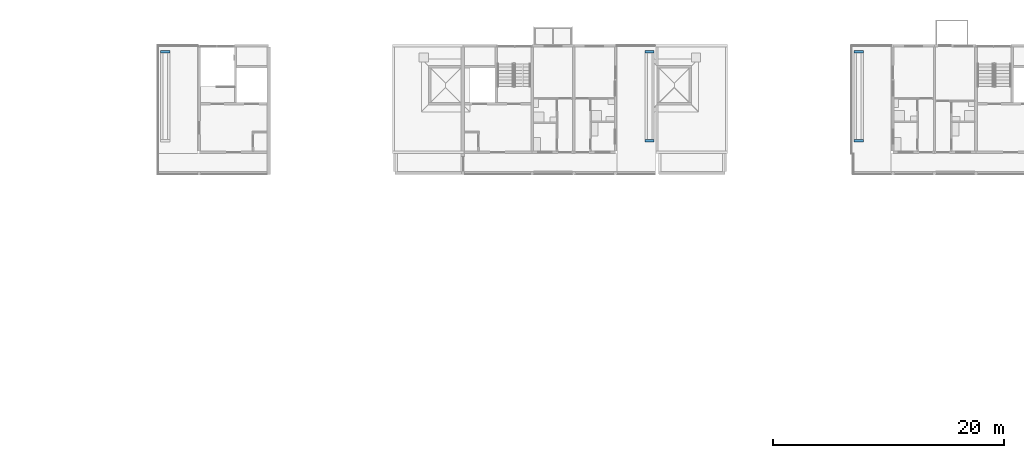
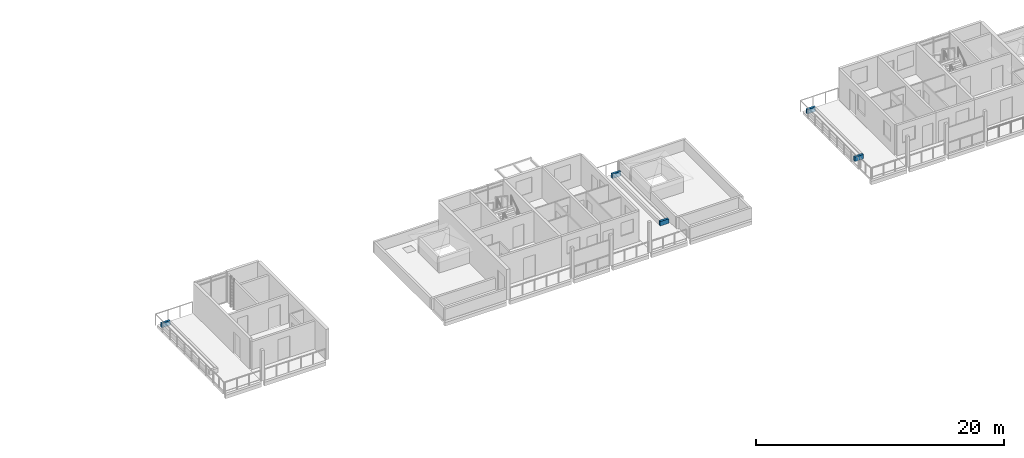
# One storey, part 52 of 78: 5 walls.
"""IFC4 building model written with IfcOpenShell, lengths in metres."""

import ifcopenshell
import ifcopenshell.guid

model = None  # the IFC model being written
_history = None  # IfcOwnerHistory: only IFC2X3 demands one
_inside = {}  # id of a spatial element -> (the spatial element, [elements in it])
_under = {}  # id of a project, library or spatial element -> (it, [spatial elements below it])
_declared = {}  # id of a project -> (the project, [libraries it declares])
_typed = {}  # id of a type object -> (the type object, [elements of that type])
_made_of = {}  # id of a material, layer set ... -> (it, [elements and type objects made of it])


def new_model(schema):
    """Start an empty IFC model of exactly this schema.

    Asked for "IFC4X3", IfcOpenShell would pick the latest addendum, in which some entities
    have other attributes; the version numbers below select the first issue.
    IFC2X3 requires an IfcOwnerHistory on every rooted entity: one is made here for all.
    """
    global model, _history
    if schema == "IFC4X3":
        model = ifcopenshell.file(schema_version=(4, 3, 0, 0))
    else:
        model = ifcopenshell.file(schema=schema)
    _inside.clear()
    _under.clear()
    _declared.clear()
    _typed.clear()
    _made_of.clear()
    _history = None
    if model.schema == "IFC2X3":
        org = make("IfcOrganization", Name="unknown")
        user = make(
            "IfcPersonAndOrganization",
            ThePerson=make("IfcPerson", FamilyName="unknown"),
            TheOrganization=org,
        )
        app = make(
            "IfcApplication",
            ApplicationDeveloper=org,
            Version="unknown",
            ApplicationFullName="unknown",
            ApplicationIdentifier="unknown",
        )
        _history = make(
            "IfcOwnerHistory",
            OwningUser=user,
            OwningApplication=app,
            ChangeAction="ADDED",
            CreationDate=0,
        )
    return model


def make(cls, **values):
    """One entity of the class cls with the attributes given. An attribute that is None is left unset."""
    return model.create_entity(
        cls, **{name: value for name, value in values.items() if value is not None}
    )


def rooted(cls, **values):
    """An entity with a GlobalId (a new one), such as an element, a storey or a relation."""
    return make(cls, GlobalId=ifcopenshell.guid.new(), OwnerHistory=_history, **values)


def si_unit(unit_type, name, prefix=None):
    """IfcSIUnit, for example si_unit("LENGTHUNIT", "METRE", prefix="MILLI")."""
    return make("IfcSIUnit", UnitType=unit_type, Prefix=prefix, Name=name)


def assignment(units):
    """IfcUnitAssignment: the units of a project."""
    return None if units is None else make("IfcUnitAssignment", Units=units)


def point(xyz):
    """IfcCartesianPoint."""
    return None if xyz is None else make("IfcCartesianPoint", Coordinates=xyz)


def direction(xyz):
    """IfcDirection."""
    return None if xyz is None else make("IfcDirection", DirectionRatios=xyz)


def frame(location, z_axis=None, x_axis=None):
    """IfcAxis2Placement3D, a coordinate frame: its origin and axes. An axis left out is left unset."""
    return make(
        "IfcAxis2Placement3D",
        Location=point(location),
        Axis=direction(z_axis),
        RefDirection=direction(x_axis),
    )


def frame_2d(location, x_axis=None):
    """IfcAxis2Placement2D, a coordinate frame in the plane: its origin and x axis."""
    return make(
        "IfcAxis2Placement2D", Location=point(location), RefDirection=direction(x_axis)
    )


def origin():
    """The frame at (0, 0, 0) with its axes left unset."""
    return frame((0.0, 0.0, 0.0))


def place(relative_to, where):
    """IfcLocalPlacement: puts the frame where relative to a parent placement (None: the world)."""
    return make(
        "IfcLocalPlacement", PlacementRelTo=relative_to, RelativePlacement=where
    )


def context(
    kind, dimensions, precision=None, world=None, true_north=None, identifier=None
):
    """IfcGeometricRepresentationContext, for example the 3D "Model" context."""
    return make(
        "IfcGeometricRepresentationContext",
        ContextIdentifier=identifier,
        ContextType=kind,
        CoordinateSpaceDimension=dimensions,
        Precision=precision,
        WorldCoordinateSystem=world,
        TrueNorth=true_north,
    )


def subcontext(parent, identifier, kind, view, scale=None):
    """IfcGeometricRepresentationSubContext, for example "Body" below "Model"."""
    return make(
        "IfcGeometricRepresentationSubContext",
        ContextIdentifier=identifier,
        ContextType=kind,
        ParentContext=parent,
        TargetScale=scale,
        TargetView=view,
    )


def project(units=None, contexts=None):
    """IfcProject with its units and contexts."""
    return rooted(
        "IfcProject",
        Name="project",
        RepresentationContexts=contexts,
        UnitsInContext=assignment(units),
    )


def spatial(cls, under=None, at=None, **own):
    """A site, building, storey or space (cls), placed at a placement, below another one or the project."""
    s = rooted(cls, ObjectPlacement=at, **own)
    if under is not None:
        _under.setdefault(under.id(), (under, []))[1].append(s)
    return s


def profile(cls, at=None, kind="AREA", **sizes):
    """A parametric profile (cls). Its sizes go by their IFC names, for example OverallWidth=200.0."""
    return make(cls, ProfileType=kind, Position=at, **sizes)


def rectangle(**sizes):
    """IfcRectangleProfileDef."""
    return profile("IfcRectangleProfileDef", **sizes)


def extrude(swept, where, along, depth):
    """IfcExtrudedAreaSolid: the profile swept, set in the frame where, extruded along a direction by depth."""
    return make(
        "IfcExtrudedAreaSolid",
        SweptArea=swept,
        Position=where,
        ExtrudedDirection=direction(along),
        Depth=depth,
    )


def shape(context_of_items, identifier, shape_type, items):
    """IfcShapeRepresentation: the items that make up one representation, for example the "Body"."""
    return make(
        "IfcShapeRepresentation",
        ContextOfItems=context_of_items,
        RepresentationIdentifier=identifier,
        RepresentationType=shape_type,
        Items=items,
    )


def material(Name=None, Category=None):
    """IfcMaterial."""
    return make("IfcMaterial", Name=Name, Category=Category)


def layer(
    of_material, thickness, ventilated=None, Name=None, Category=None, Priority=None
):
    """IfcMaterialLayer: one layer of a wall or slab, of a material (None: an air gap)."""
    return make(
        "IfcMaterialLayer",
        Material=of_material,
        LayerThickness=thickness,
        IsVentilated=ventilated,
        Name=Name,
        Category=Category,
        Priority=Priority,
    )


def layer_set(layers, Name=None):
    """IfcMaterialLayerSet."""
    return make("IfcMaterialLayerSet", MaterialLayers=layers, LayerSetName=Name)


def made_of(thing, what):
    """Note that an element or type object is made of a material, layer set ...; save() writes the relation."""
    if what is not None:
        _made_of.setdefault(what.id(), (what, []))[1].append(thing)
    return thing


def type_object(cls, material=None, **own):
    """A type object (cls), such as IfcWallType, which elements share."""
    return made_of(rooted(cls, **own), material)


def element(
    cls,
    number,
    at=None,
    inside=None,
    cuts=None,
    type_object=None,
    material=None,
    context=None,
    identifier="Body",
    shape_type=None,
    held_by="IfcProductDefinitionShape",
    body=None,
    shapes=None,
    **own,
):
    """One element of the class cls, such as IfcWall. Its Tag is "e" and its number.

    at: its placement. inside: the storey or other place that contains it. cuts: it is an
    opening in that element (IfcRelVoidsElement). A single representation is given by context,
    identifier, shape_type and body (its items); several are given by shapes. held_by: the class
    of the entity that holds the representations. save() writes the other relations.
    """
    e = rooted(cls, Tag="e%d" % number, ObjectPlacement=at, **own)
    if body is not None:
        shapes = [shape(context, identifier, shape_type, body)]
    if shapes is not None:
        e.Representation = make(held_by, Representations=shapes)
    if inside is not None:
        _inside.setdefault(inside.id(), (inside, []))[1].append(e)
    if cuts is not None:
        rooted(
            "IfcRelVoidsElement", RelatingBuildingElement=cuts, RelatedOpeningElement=e
        )
    if type_object is not None:
        _typed.setdefault(type_object.id(), (type_object, []))[1].append(e)
    return made_of(e, material)


def aggregate(whole, parts):
    """IfcRelAggregates: a whole, such as a stair, and the parts it consists of."""
    return rooted("IfcRelAggregates", RelatingObject=whole, RelatedObjects=parts)


def save(model, path):
    """Write the relations noted so far, then the file.

    IfcRelAggregates (storeys below a building ...), IfcRelContainedInSpatialStructure (elements
    in a storey), IfcRelDefinesByType, IfcRelAssociatesMaterial and IfcRelDeclares: one each for
    every whole, place, type object, material and project.
    """
    for whole, parts in _under.values():
        aggregate(whole, parts)
    for where, things in _inside.values():
        rooted(
            "IfcRelContainedInSpatialStructure",
            RelatedElements=things,
            RelatingStructure=where,
        )
    for kind, things in _typed.values():
        rooted("IfcRelDefinesByType", RelatedObjects=things, RelatingType=kind)
    for what, things in _made_of.values():
        rooted("IfcRelAssociatesMaterial", RelatedObjects=things, RelatingMaterial=what)
    for by, libraries in _declared.values():
        rooted("IfcRelDeclares", RelatingContext=by, RelatedDefinitions=libraries)
    model.write(path)


model = new_model("IFC4")

# Units and contexts
model_context = context("Model", 3, precision=1e-05, world=origin(), true_north=direction((0.0, 1.0)))
body_context = subcontext(model_context, "Body", "Model", "MODEL_VIEW")
ifc_project = project(units=[si_unit("LENGTHUNIT", "METRE"), si_unit("AREAUNIT", "SQUARE_METRE"), si_unit("VOLUMEUNIT", "CUBIC_METRE"), si_unit("PLANEANGLEUNIT", "RADIAN"), si_unit("MASSUNIT", "GRAM", prefix="KILO")], contexts=[model_context])

# Site, building, storey
site_placement = place(None, origin())
site = spatial("IfcSite", under=ifc_project, at=site_placement, CompositionType="ELEMENT")
building_placement = place(site_placement, origin())
building = spatial("IfcBuilding", under=site, at=building_placement, Name="Ridgestep Commons", CompositionType="ELEMENT")
storey_placement = place(building_placement, frame((0.0, 0.0, 30.0)))
storey = spatial("IfcBuildingStorey", under=building, at=storey_placement, Name="L10", CompositionType="ELEMENT", Elevation=30.0)

# Walls
ifc_material = material(Name="Facing brick", Category="masonry")
ifc_layer = layer(ifc_material, 0.199951171875)
ifc_layer_set = layer_set([ifc_layer], Name="Planter wall 200")
wall_type = type_object("IfcWallType", Name="Planter wall 200", PredefinedType="SOLIDWALL", material=ifc_layer_set)
for number, where, z_axis, x_axis, name in (
    (1, (154.25, 76.60009765625, 0.010009765625), (0.0, 0.0, 1.0), (1.0, 0.0, 0.0), "Planter wall C1R3N"),
    (2, (196.14990234375, 68.89990234375, 0.010009765625), (0.0, 0.0, 1.0), (1.0, 0.0, 0.0), "Planter wall C3R1S"),
    (3, (196.14990234375, 76.60009765625, 0.010009765625), (0.0, 0.0, 1.0), (1.0, 0.0, 0.0), "Planter wall C3R1N"),
    (4, (214.25, 68.89990234375, 0.010009765625), (0.0, 0.0, 1.0), (1.0, 0.0, 0.0), "Planter wall C5R1S"),
    (5, (214.25, 76.60009765625, 0.010009765625), (0.0, 0.0, 1.0), (1.0, 0.0, 0.0), "Planter wall C5R1N"),
):
    element("IfcWall", number, at=place(storey_placement, frame(where, z_axis=z_axis, x_axis=x_axis)), inside=storey, type_object=wall_type, Name=name, PredefinedType="SOLIDWALL", context=body_context, shape_type="SweptSolid", body=[
        extrude(rectangle(XDim=0.800048828125, YDim=0.199951171875, at=frame_2d((0.39990234375, 0.0))), origin(), (0.0, 0.0, 1.0), 0.449951171875),
    ])

save(model, "model.ifc")
